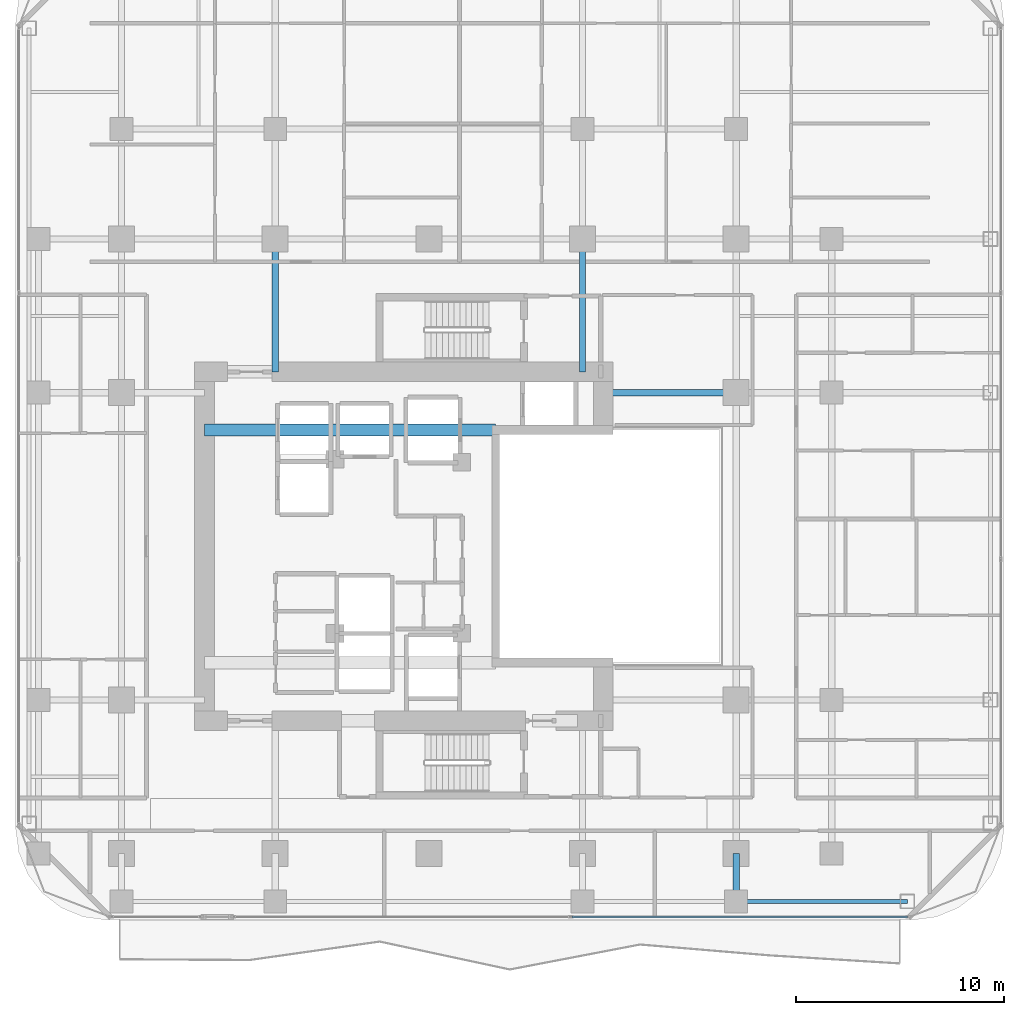
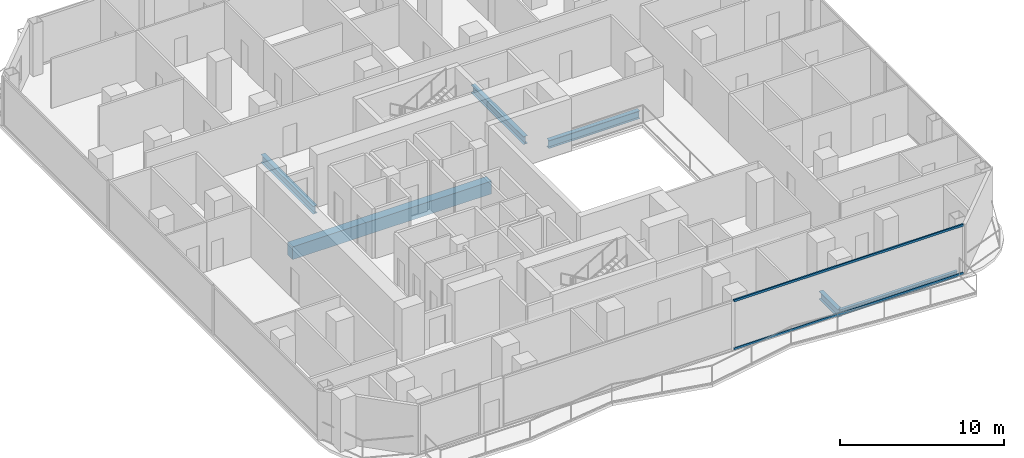
# One storey, part 8 of 27: 6 beams, 2 members, 1 element without a shape of its own.
"""IFC4 building model written with IfcOpenShell, lengths in metres."""

from ifc_helpers import new_model, si_unit, direction, frame, origin, origin_2d, place, context, subcontext, project, spatial, rectangle, hollow_rectangle, i_section, extrude, material, layer, layer_set, material_profile, profile_set, type_object, element, aggregate, save


model = new_model("IFC4")

# Units and contexts
model_context = context("Model", 3, precision=1e-05, world=origin(), true_north=direction((0.0, 1.0)))
body_context = subcontext(model_context, "Body", "Model", "MODEL_VIEW")
ifc_project = project(units=[si_unit("LENGTHUNIT", "METRE"), si_unit("AREAUNIT", "SQUARE_METRE"), si_unit("VOLUMEUNIT", "CUBIC_METRE"), si_unit("PLANEANGLEUNIT", "RADIAN"), si_unit("MASSUNIT", "GRAM", prefix="KILO")], contexts=[model_context])

# Site, building, storey
site_placement = place(None, origin())
site = spatial("IfcSite", under=ifc_project, at=site_placement, CompositionType="ELEMENT")
building_placement = place(site_placement, origin())
building = spatial("IfcBuilding", under=site, at=building_placement, Name="Khorvyn Point Tower", CompositionType="ELEMENT")
storey_placement = place(building_placement, frame((0.0, 0.0, 125.10009765625)))
storey = spatial("IfcBuildingStorey", under=building, at=storey_placement, Name="L31", CompositionType="ELEMENT", Elevation=125.10009765625)

# Curtain wall, members
ifc_material_1 = material(Name="Anodised aluminium 6063-T6 and laminated Low-E glass", Category="aluminium")
ifc_layer = layer(ifc_material_1, 0.18994140625)
ifc_layer_set = layer_set([ifc_layer], Name="Stick-Built Acoustic Curtain Wall CW-SYS-03")
curtain_wall_type = type_object("IfcCurtainWallType", Name="Stick-Built Acoustic Curtain Wall CW-SYS-03", PredefinedType="NOTDEFINED", material=ifc_layer_set)
curtain_wall_placement = place(storey_placement, origin())
curtain_wall = element("IfcCurtainWall", 1, at=curtain_wall_placement, inside=storey, type_object=curtain_wall_type, Name="Curtain Wall", PredefinedType="NOTDEFINED")
ifc_material_2 = material(Name="Anodised aluminium 6063-T6", Category="aluminium")
ifc_material_profile_1 = material_profile(ifc_material_2, hollow_rectangle(XDim=0.10009765625, YDim=0.159912109375, WallThickness=0.00439453125, at=origin_2d()))
ifc_profile_set_1 = profile_set([ifc_material_profile_1], Name="Anodised aluminium 6063-T6 ALU-TRN-100x160")
member_type = type_object("IfcMemberType", Name="Anodised Aluminium 6063-T6 Transom ALU-TRN-100x160", PredefinedType="USERDEFINED", material=ifc_profile_set_1)
member_1_placement = place(storey_placement, frame((23.050048828125, -17.85009765625, 0.0498046875), z_axis=(-1.0, 0.0, 0.0), x_axis=(0.0, -1.0, 0.0)))
member_1 = element("IfcMember", 2, at=member_1_placement, type_object=member_type, Name="Transom", ObjectType="TRANSOM", PredefinedType="USERDEFINED", context=body_context, shape_type="SweptSolid", body=[
    extrude(hollow_rectangle(XDim=0.10009765625, YDim=0.159912109375, WallThickness=0.00439453125, at=origin_2d()), origin(), (0.0, 0.0, 1.0), 16.16162109375),
])
member_2_placement = place(storey_placement, frame((23.050048828125, -17.85009765625, 3.6298828125), z_axis=(-1.0, 0.0, 0.0), x_axis=(0.0, -1.0, 0.0)))
member_2 = element("IfcMember", 3, at=member_2_placement, type_object=member_type, Name="Transom", ObjectType="TRANSOM", PredefinedType="USERDEFINED", context=body_context, shape_type="SweptSolid", body=[
    extrude(hollow_rectangle(XDim=0.10009765625, YDim=0.159912109375, WallThickness=0.00439453125, at=origin_2d()), origin(), (0.0, 0.0, 1.0), 16.16162109375),
])
aggregate(curtain_wall, [member_1, member_2])

# Beams
ifc_material_3 = material(Name="Concrete C50/60", Category="concrete")
ifc_material_profile_2 = material_profile(ifc_material_3, rectangle(XDim=0.60009765625, YDim=0.949951171875, at=origin_2d()))
ifc_profile_set_2 = profile_set([ifc_material_profile_2], Name="Concrete C50/60 RC600x950")
beam_type_1 = type_object("IfcBeamType", Name="Concrete C50/60 Beam RC600x950", PredefinedType="BEAM", material=ifc_profile_set_2)
beam_1_placement = place(storey_placement, frame((-10.800048828125, 5.60009765625, -0.695068359375), z_axis=(1.0, 0.0, 0.0), x_axis=(0.0, 1.0, 0.0)))
element("IfcBeam", 4, at=beam_1_placement, inside=storey, type_object=beam_type_1, Name="L31 Core Internal Tie Girder N", PredefinedType="BEAM", context=body_context, shape_type="SweptSolid", body=[
    extrude(rectangle(XDim=0.60009765625, YDim=0.949951171875, at=origin_2d()), origin(), (0.0, 0.0, 1.0), 14.02001953125),
])
ifc_material_4 = material(Name="Steel S355", Category="steel")
ifc_material_profile_3 = material_profile(ifc_material_4, i_section(OverallWidth=0.300048828125, OverallDepth=0.587890625, WebThickness=0.011962890625, FlangeThickness=0.02001953125, at=origin_2d()))
ifc_profile_set_3 = profile_set([ifc_material_profile_3], Name="Steel S355 H588x300x12x20")
beam_type_2 = type_object("IfcBeamType", Name="Steel S355 Beam H588x300x12x20", PredefinedType="BEAM", material=ifc_profile_set_3)
beam_2_placement = place(storey_placement, frame((8.39990234375, 7.39990234375, -0.51416015625), z_axis=(1.0, 0.0, 0.0), x_axis=(0.0, 1.0, 0.0)))
element("IfcBeam", 5, at=beam_2_placement, inside=storey, type_object=beam_type_2, Name="Beam", PredefinedType="BEAM", context=body_context, shape_type="SweptSolid", body=[
    extrude(i_section(OverallWidth=0.300048828125, OverallDepth=0.587890625, WebThickness=0.011962890625, FlangeThickness=0.02001953125, at=origin_2d()), origin(), (0.0, 0.0, 1.0), 6.400146484375),
])
beam_3_placement = place(storey_placement, frame((14.800048828125, -17.10009765625, -0.51416015625), z_axis=(0.0, 1.0, 0.0), x_axis=(-1.0, 0.0, 0.0)))
element("IfcBeam", 6, at=beam_3_placement, inside=storey, type_object=beam_type_2, Name="Beam", PredefinedType="BEAM", context=body_context, shape_type="SweptSolid", body=[
    extrude(i_section(OverallWidth=0.300048828125, OverallDepth=0.587890625, WebThickness=0.011962890625, FlangeThickness=0.02001953125, at=origin_2d()), origin(), (0.0, 0.0, 1.0), 2.300048828125),
])
for number, where, z_axis, x_axis, name in (
    (7, (-7.39990234375, 8.39990234375, -0.51416015625), (0.0, 1.0, 0.0), (-1.0, 0.0, 0.0), "Beam"),
    (8, (7.39990234375, 8.39990234375, -0.51416015625), (0.0, 1.0, 0.0), (-1.0, 0.0, 0.0), "Beam"),
):
    element("IfcBeam", number, at=place(storey_placement, frame(where, z_axis=z_axis, x_axis=x_axis)), inside=storey, type_object=beam_type_2, Name=name, PredefinedType="BEAM", context=body_context, shape_type="SweptSolid", body=[
        extrude(i_section(OverallWidth=0.300048828125, OverallDepth=0.587890625, WebThickness=0.011962890625, FlangeThickness=0.02001953125, at=origin_2d()), origin(), (0.0, 0.0, 1.0), 6.400146484375),
    ])
ifc_material_profile_4 = material_profile(ifc_material_4, i_section(OverallWidth=0.199951171875, OverallDepth=0.449951171875, WebThickness=0.009033203125, FlangeThickness=0.013916015625, at=origin_2d()))
ifc_profile_set_4 = profile_set([ifc_material_profile_4], Name="Steel S355 H450x200x9x14")
beam_type_3 = type_object("IfcBeamType", Name="Steel S355 Spandrel H450x200x9x14", PredefinedType="SPANDREL", material=ifc_profile_set_4)
beam_4_placement = place(storey_placement, frame((14.800048828125, -17.10009765625, -0.445068359375), z_axis=(1.0, 0.0, 0.0), x_axis=(0.0, 1.0, 0.0)))
element("IfcBeam", 9, at=beam_4_placement, inside=storey, type_object=beam_type_3, Name="Beam", PredefinedType="SPANDREL", context=body_context, shape_type="SweptSolid", body=[
    extrude(i_section(OverallWidth=0.199951171875, OverallDepth=0.449951171875, WebThickness=0.009033203125, FlangeThickness=0.013916015625, at=origin_2d()), origin(), (0.0, 0.0, 1.0), 8.25),
])

save(model, "model.ifc")
